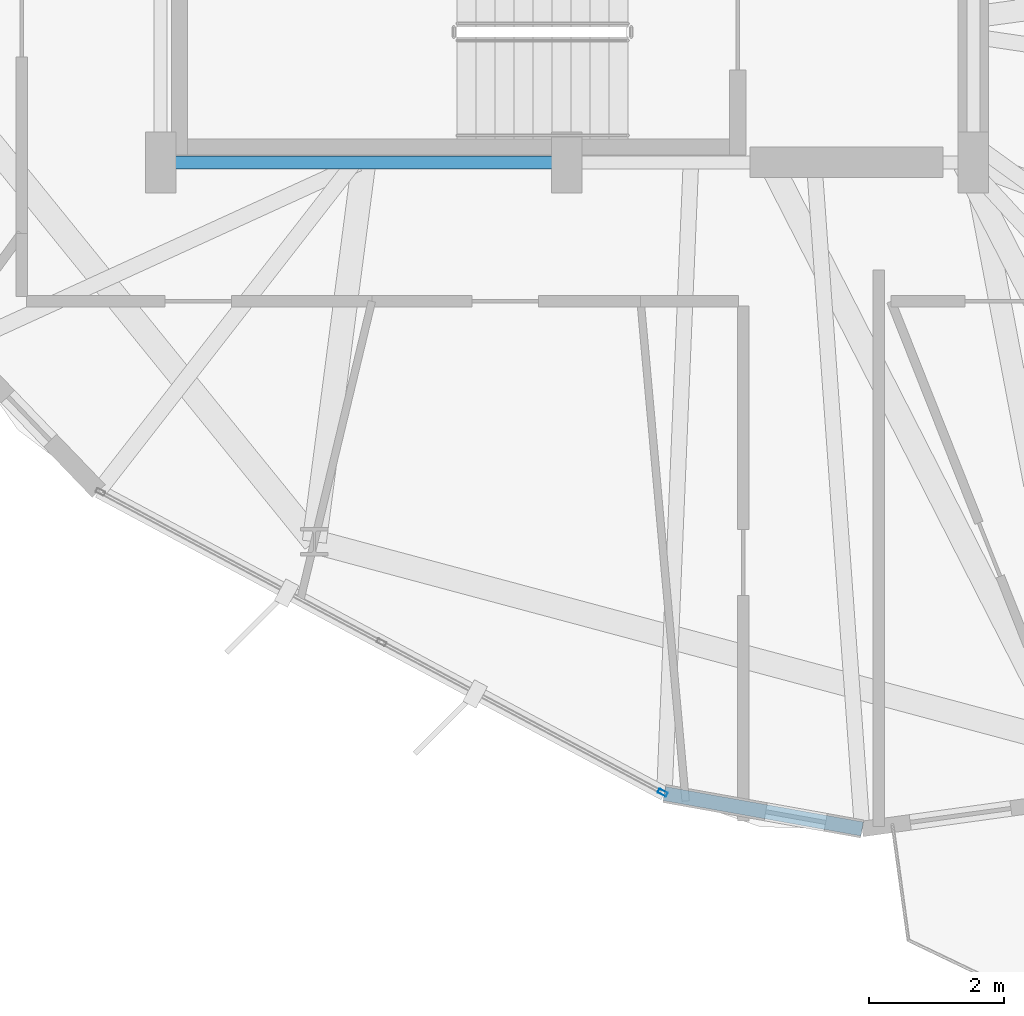
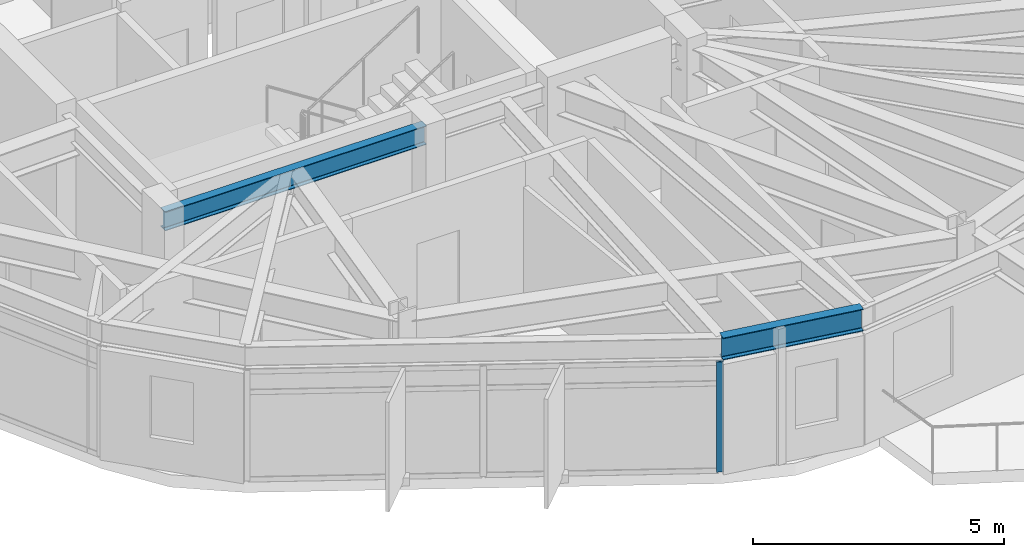
# One storey, part 4 of 26: 2 beams, 1 member, 1 element without a shape of its own.
"""IFC4 building model written with IfcOpenShell, lengths in metres."""

from ifc_helpers import new_model, si_unit, direction, frame, origin, origin_2d, place, context, subcontext, project, spatial, hollow_rectangle, i_section, extrude, material, layer, layer_set, material_profile, profile_set, type_object, element, aggregate, save


model = new_model("IFC4")

# Units and contexts
model_context = context("Model", 3, precision=1e-05, world=origin(), true_north=direction((0.0, 1.0)))
body_context = subcontext(model_context, "Body", "Model", "MODEL_VIEW")
ifc_project = project(units=[si_unit("LENGTHUNIT", "METRE"), si_unit("AREAUNIT", "SQUARE_METRE"), si_unit("VOLUMEUNIT", "CUBIC_METRE"), si_unit("PLANEANGLEUNIT", "RADIAN"), si_unit("MASSUNIT", "GRAM", prefix="KILO")], contexts=[model_context])

# Site, building, storey
site_placement = place(None, origin())
site = spatial("IfcSite", under=ifc_project, at=site_placement, CompositionType="ELEMENT")
building_placement = place(site_placement, origin())
building = spatial("IfcBuilding", under=site, at=building_placement, Name="Soratama Intermodal Tower", CompositionType="ELEMENT")
storey_placement = place(building_placement, frame((0.0, 0.0, 194.199951171875)))
storey = spatial("IfcBuildingStorey", under=building, at=storey_placement, Name="L48", CompositionType="ELEMENT", Elevation=194.199951171875)

# Beams
ifc_material_1 = material(Name="Structural steel ASTM A992 Grade 50", Category="steel")
ifc_material_profile_1 = material_profile(ifc_material_1, i_section(OverallWidth=0.19091796875, OverallDepth=0.4599609375, WebThickness=0.010009765625, FlangeThickness=0.01611328125, FilletRadius=0.010986328125, at=origin_2d()), Name="W18X55")
ifc_profile_set_1 = profile_set([ifc_material_profile_1], Name="Structural steel ASTM A992 Grade 50")
beam_type_1 = type_object("IfcBeamType", Name="BM-FLR-W18X55", PredefinedType="BEAM", material=ifc_profile_set_1)
beam_1_placement = place(storey_placement, frame((32.60009765625, 15.0, 3.070068359375), z_axis=(1.0, 0.0, 0.0), x_axis=(0.0, 1.0, 0.0)))
element("IfcBeam", 1, at=beam_1_placement, inside=storey, type_object=beam_type_1, Name="BM-L48-CRING-01", PredefinedType="BEAM", context=body_context, shape_type="SweptSolid", body=[
    extrude(i_section(OverallWidth=0.19091796875, OverallDepth=0.4599609375, WebThickness=0.010009765625, FlangeThickness=0.01611328125, FilletRadius=0.010986328125, at=origin_2d()), origin(), (0.0, 0.0, 1.0), 6.0),
])
ifc_material_2 = material(Name="Structural steel ASTM A992 Grade 50", Category="steel")
ifc_material_profile_2 = material_profile(ifc_material_2, i_section(OverallWidth=0.2099609375, OverallDepth=0.537109375, WebThickness=0.010986328125, FlangeThickness=0.017333984375, FilletRadius=0.012939453125, at=origin_2d()), Name="W21X68")
ifc_profile_set_2 = profile_set([ifc_material_profile_2], Name="Structural steel ASTM A992 Grade 50")
beam_type_2 = type_object("IfcBeamType", Name="BM-SPN-W21X68", PredefinedType="SPANDREL", material=ifc_profile_set_2)
beam_2_placement = place(storey_placement, frame((40.0380859375, 5.681884765625, 3.031494140625), z_axis=(0.984395001978, -0.175972952695, 0.0), x_axis=(0.175972952695, 0.984395001978, 0.0)))
element("IfcBeam", 2, at=beam_2_placement, inside=storey, type_object=beam_type_2, Name="BS-L48-CRN06", PredefinedType="SPANDREL", context=body_context, shape_type="SweptSolid", body=[
    extrude(i_section(OverallWidth=0.2099609375, OverallDepth=0.537109375, WebThickness=0.010986328125, FlangeThickness=0.017333984375, FilletRadius=0.012939453125, at=origin_2d()), origin(), (0.0, 0.0, 1.0), 2.96630859375),
])

# Curtain wall, member
ifc_material_3 = material(Name="Double-glazed aluminium curtain wall", Category="aluminium")
ifc_layer = layer(ifc_material_3, 0.159912109375)
ifc_layer_set = layer_set([ifc_layer], Name="Double-glazed aluminium curtain wall")
curtain_wall_type = type_object("IfcCurtainWallType", Name="CW-SYS-5", PredefinedType="NOTDEFINED", material=ifc_layer_set)
curtain_wall_placement = place(storey_placement, origin())
curtain_wall = element("IfcCurtainWall", 3, at=curtain_wall_placement, inside=storey, type_object=curtain_wall_type, Name="L48 Faceted Curtain Wall F06", PredefinedType="NOTDEFINED")
ifc_material_4 = material(Name="Anodised aluminium AA 6063-T6", Category="aluminium")
ifc_material_profile_3 = material_profile(ifc_material_4, hollow_rectangle(XDim=0.06494140625, YDim=0.139892578125, WallThickness=0.0048828125, InnerFilletRadius=0.0048828125, OuterFilletRadius=0.010009765625, at=origin_2d()), Name="CWM140X65X5")
ifc_profile_set_3 = profile_set([ifc_material_profile_3], Name="Anodised aluminium AA 6063-T6")
member_type = type_object("IfcMemberType", Name="MT-CWM-5", PredefinedType="MULLION", material=ifc_profile_set_3)
member_placement = place(storey_placement, frame((40.01171875, 5.6962890625, 0.0), z_axis=(0.0, 0.0, 1.0), x_axis=(0.471624757296, 0.881799346964, 0.0)))
member = element("IfcMember", 4, at=member_placement, type_object=member_type, Name="CW-5 mullion 3", PredefinedType="MULLION", context=body_context, shape_type="SweptSolid", body=[
    extrude(hollow_rectangle(XDim=0.06494140625, YDim=0.139892578125, WallThickness=0.0048828125, InnerFilletRadius=0.0048828125, OuterFilletRadius=0.010009765625, at=origin_2d()), origin(), (0.0, 0.0, 1.0), 2.678955078125),
])
aggregate(curtain_wall, [member])

save(model, "model.ifc")
